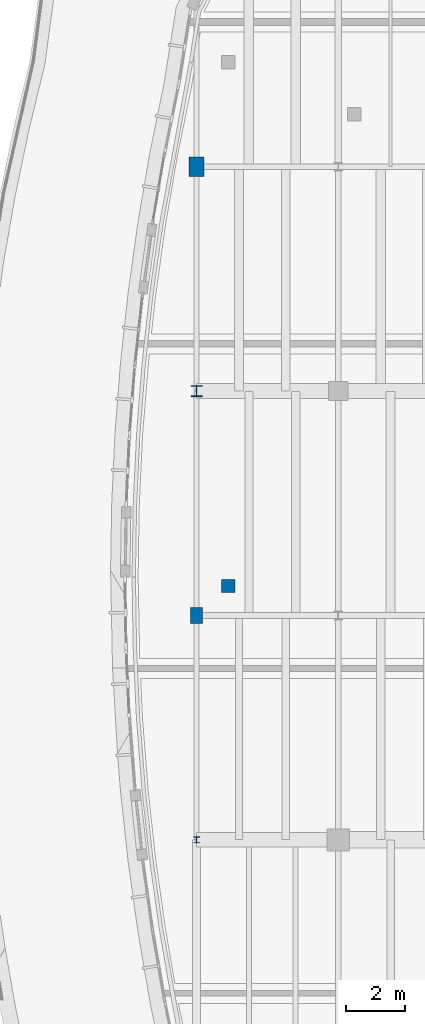
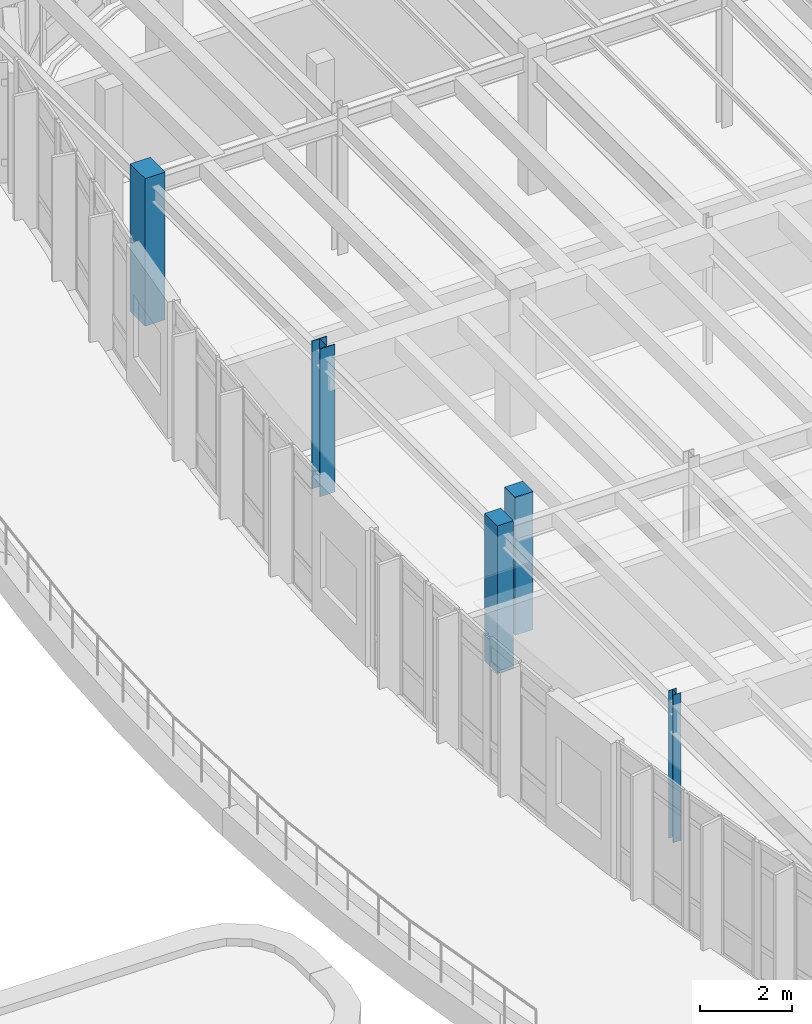
# One storey, part 9 of 111: 5 columns.
"""IFC4 building model written with IfcOpenShell, lengths in metres."""

import ifcopenshell
import ifcopenshell.guid

model = None  # the IFC model being written
_history = None  # IfcOwnerHistory: only IFC2X3 demands one
_inside = {}  # id of a spatial element -> (the spatial element, [elements in it])
_under = {}  # id of a project, library or spatial element -> (it, [spatial elements below it])
_declared = {}  # id of a project -> (the project, [libraries it declares])
_typed = {}  # id of a type object -> (the type object, [elements of that type])
_made_of = {}  # id of a material, layer set ... -> (it, [elements and type objects made of it])


def new_model(schema):
    """Start an empty IFC model of exactly this schema.

    Asked for "IFC4X3", IfcOpenShell would pick the latest addendum, in which some entities
    have other attributes; the version numbers below select the first issue.
    IFC2X3 requires an IfcOwnerHistory on every rooted entity: one is made here for all.
    """
    global model, _history
    if schema == "IFC4X3":
        model = ifcopenshell.file(schema_version=(4, 3, 0, 0))
    else:
        model = ifcopenshell.file(schema=schema)
    _inside.clear()
    _under.clear()
    _declared.clear()
    _typed.clear()
    _made_of.clear()
    _history = None
    if model.schema == "IFC2X3":
        org = make("IfcOrganization", Name="unknown")
        user = make(
            "IfcPersonAndOrganization",
            ThePerson=make("IfcPerson", FamilyName="unknown"),
            TheOrganization=org,
        )
        app = make(
            "IfcApplication",
            ApplicationDeveloper=org,
            Version="unknown",
            ApplicationFullName="unknown",
            ApplicationIdentifier="unknown",
        )
        _history = make(
            "IfcOwnerHistory",
            OwningUser=user,
            OwningApplication=app,
            ChangeAction="ADDED",
            CreationDate=0,
        )
    return model


def make(cls, **values):
    """One entity of the class cls with the attributes given. An attribute that is None is left unset."""
    return model.create_entity(
        cls, **{name: value for name, value in values.items() if value is not None}
    )


def rooted(cls, **values):
    """An entity with a GlobalId (a new one), such as an element, a storey or a relation."""
    return make(cls, GlobalId=ifcopenshell.guid.new(), OwnerHistory=_history, **values)


def si_unit(unit_type, name, prefix=None):
    """IfcSIUnit, for example si_unit("LENGTHUNIT", "METRE", prefix="MILLI")."""
    return make("IfcSIUnit", UnitType=unit_type, Prefix=prefix, Name=name)


def assignment(units):
    """IfcUnitAssignment: the units of a project."""
    return None if units is None else make("IfcUnitAssignment", Units=units)


def point(xyz):
    """IfcCartesianPoint."""
    return None if xyz is None else make("IfcCartesianPoint", Coordinates=xyz)


def direction(xyz):
    """IfcDirection."""
    return None if xyz is None else make("IfcDirection", DirectionRatios=xyz)


def frame(location, z_axis=None, x_axis=None):
    """IfcAxis2Placement3D, a coordinate frame: its origin and axes. An axis left out is left unset."""
    return make(
        "IfcAxis2Placement3D",
        Location=point(location),
        Axis=direction(z_axis),
        RefDirection=direction(x_axis),
    )


def frame_2d(location, x_axis=None):
    """IfcAxis2Placement2D, a coordinate frame in the plane: its origin and x axis."""
    return make(
        "IfcAxis2Placement2D", Location=point(location), RefDirection=direction(x_axis)
    )


def origin():
    """The frame at (0, 0, 0) with its axes left unset."""
    return frame((0.0, 0.0, 0.0))


def origin_2d():
    """The frame at (0, 0) in the plane with its x axis left unset."""
    return frame_2d((0.0, 0.0))


def place(relative_to, where):
    """IfcLocalPlacement: puts the frame where relative to a parent placement (None: the world)."""
    return make(
        "IfcLocalPlacement", PlacementRelTo=relative_to, RelativePlacement=where
    )


def context(
    kind, dimensions, precision=None, world=None, true_north=None, identifier=None
):
    """IfcGeometricRepresentationContext, for example the 3D "Model" context."""
    return make(
        "IfcGeometricRepresentationContext",
        ContextIdentifier=identifier,
        ContextType=kind,
        CoordinateSpaceDimension=dimensions,
        Precision=precision,
        WorldCoordinateSystem=world,
        TrueNorth=true_north,
    )


def subcontext(parent, identifier, kind, view, scale=None):
    """IfcGeometricRepresentationSubContext, for example "Body" below "Model"."""
    return make(
        "IfcGeometricRepresentationSubContext",
        ContextIdentifier=identifier,
        ContextType=kind,
        ParentContext=parent,
        TargetScale=scale,
        TargetView=view,
    )


def project(units=None, contexts=None):
    """IfcProject with its units and contexts."""
    return rooted(
        "IfcProject",
        Name="project",
        RepresentationContexts=contexts,
        UnitsInContext=assignment(units),
    )


def spatial(cls, under=None, at=None, **own):
    """A site, building, storey or space (cls), placed at a placement, below another one or the project."""
    s = rooted(cls, ObjectPlacement=at, **own)
    if under is not None:
        _under.setdefault(under.id(), (under, []))[1].append(s)
    return s


def profile(cls, at=None, kind="AREA", **sizes):
    """A parametric profile (cls). Its sizes go by their IFC names, for example OverallWidth=200.0."""
    return make(cls, ProfileType=kind, Position=at, **sizes)


def rectangle(**sizes):
    """IfcRectangleProfileDef."""
    return profile("IfcRectangleProfileDef", **sizes)


def i_section(**sizes):
    """IfcIShapeProfileDef."""
    return profile("IfcIShapeProfileDef", **sizes)


def extrude(swept, where, along, depth):
    """IfcExtrudedAreaSolid: the profile swept, set in the frame where, extruded along a direction by depth."""
    return make(
        "IfcExtrudedAreaSolid",
        SweptArea=swept,
        Position=where,
        ExtrudedDirection=direction(along),
        Depth=depth,
    )


def shape(context_of_items, identifier, shape_type, items):
    """IfcShapeRepresentation: the items that make up one representation, for example the "Body"."""
    return make(
        "IfcShapeRepresentation",
        ContextOfItems=context_of_items,
        RepresentationIdentifier=identifier,
        RepresentationType=shape_type,
        Items=items,
    )


def material(Name=None, Category=None):
    """IfcMaterial."""
    return make("IfcMaterial", Name=Name, Category=Category)


def material_profile(
    of_material, cross_section, Name=None, Category=None, Priority=None
):
    """IfcMaterialProfile: a cross section and its material."""
    return make(
        "IfcMaterialProfile",
        Name=Name,
        Material=of_material,
        Profile=cross_section,
        Priority=Priority,
        Category=Category,
    )


def profile_set(profiles, Name=None, composite=None):
    """IfcMaterialProfileSet."""
    return make(
        "IfcMaterialProfileSet",
        Name=Name,
        MaterialProfiles=profiles,
        CompositeProfile=composite,
    )


def made_of(thing, what):
    """Note that an element or type object is made of a material, layer set ...; save() writes the relation."""
    if what is not None:
        _made_of.setdefault(what.id(), (what, []))[1].append(thing)
    return thing


def type_object(cls, material=None, **own):
    """A type object (cls), such as IfcWallType, which elements share."""
    return made_of(rooted(cls, **own), material)


def element(
    cls,
    number,
    at=None,
    inside=None,
    cuts=None,
    type_object=None,
    material=None,
    context=None,
    identifier="Body",
    shape_type=None,
    held_by="IfcProductDefinitionShape",
    body=None,
    shapes=None,
    **own,
):
    """One element of the class cls, such as IfcWall. Its Tag is "e" and its number.

    at: its placement. inside: the storey or other place that contains it. cuts: it is an
    opening in that element (IfcRelVoidsElement). A single representation is given by context,
    identifier, shape_type and body (its items); several are given by shapes. held_by: the class
    of the entity that holds the representations. save() writes the other relations.
    """
    e = rooted(cls, Tag="e%d" % number, ObjectPlacement=at, **own)
    if body is not None:
        shapes = [shape(context, identifier, shape_type, body)]
    if shapes is not None:
        e.Representation = make(held_by, Representations=shapes)
    if inside is not None:
        _inside.setdefault(inside.id(), (inside, []))[1].append(e)
    if cuts is not None:
        rooted(
            "IfcRelVoidsElement", RelatingBuildingElement=cuts, RelatedOpeningElement=e
        )
    if type_object is not None:
        _typed.setdefault(type_object.id(), (type_object, []))[1].append(e)
    return made_of(e, material)


def aggregate(whole, parts):
    """IfcRelAggregates: a whole, such as a stair, and the parts it consists of."""
    return rooted("IfcRelAggregates", RelatingObject=whole, RelatedObjects=parts)


def save(model, path):
    """Write the relations noted so far, then the file.

    IfcRelAggregates (storeys below a building ...), IfcRelContainedInSpatialStructure (elements
    in a storey), IfcRelDefinesByType, IfcRelAssociatesMaterial and IfcRelDeclares: one each for
    every whole, place, type object, material and project.
    """
    for whole, parts in _under.values():
        aggregate(whole, parts)
    for where, things in _inside.values():
        rooted(
            "IfcRelContainedInSpatialStructure",
            RelatedElements=things,
            RelatingStructure=where,
        )
    for kind, things in _typed.values():
        rooted("IfcRelDefinesByType", RelatedObjects=things, RelatingType=kind)
    for what, things in _made_of.values():
        rooted("IfcRelAssociatesMaterial", RelatedObjects=things, RelatingMaterial=what)
    for by, libraries in _declared.values():
        rooted("IfcRelDeclares", RelatingContext=by, RelatedDefinitions=libraries)
    model.write(path)


model = new_model("IFC4")

# Units and contexts
model_context = context("Model", 3, precision=1e-05, world=origin(), true_north=direction((0.0, 1.0)))
body_context = subcontext(model_context, "Body", "Model", "MODEL_VIEW")
ifc_project = project(units=[si_unit("LENGTHUNIT", "METRE"), si_unit("AREAUNIT", "SQUARE_METRE"), si_unit("VOLUMEUNIT", "CUBIC_METRE"), si_unit("PLANEANGLEUNIT", "RADIAN"), si_unit("MASSUNIT", "GRAM", prefix="KILO")], contexts=[model_context])

# Site, building, storey
site_placement = place(None, origin())
site = spatial("IfcSite", under=ifc_project, at=site_placement, CompositionType="ELEMENT")
building_placement = place(site_placement, origin())
building = spatial("IfcBuilding", under=site, at=building_placement, Name="Corveleigh Park Community Centre", CompositionType="ELEMENT")
storey_placement = place(building_placement, frame((0.0, 0.0, 4.800048828125)))
storey = spatial("IfcBuildingStorey", under=building, at=storey_placement, Name="L01", CompositionType="ELEMENT", Elevation=4.800048828125)

# Columns
ifc_material_1 = material(Name="Concrete C40/50", Category="concrete")
ifc_material_profile_1 = material_profile(ifc_material_1, rectangle(XDim=0.39990234375, YDim=0.550048828125, at=origin_2d()), Name="RC-400x550", Category="concrete")
ifc_profile_set_1 = profile_set([ifc_material_profile_1], Name="Concrete C40/50")
column_type_1 = type_object("IfcColumnType", Name="COL-RC-400x550", PredefinedType="COLUMN", material=ifc_profile_set_1)
column_1_placement = place(storey_placement, frame((134.60009765625, 81.39990234375, 0.0), z_axis=(0.0, 0.0, 1.0), x_axis=(1.0, 0.0, 0.0)))
element("IfcColumn", 1, at=column_1_placement, inside=storey, type_object=column_type_1, Name="Column V4-X1Y3 L01", PredefinedType="COLUMN", context=body_context, shape_type="SweptSolid", body=[
    extrude(rectangle(XDim=0.39990234375, YDim=0.550048828125, at=origin_2d()), origin(), (0.0, 0.0, 1.0), 3.89990234375),
])
ifc_material_profile_2 = material_profile(ifc_material_1, rectangle(XDim=0.449951171875, YDim=0.449951171875, at=origin_2d()), Name="RC-450x450", Category="concrete")
ifc_profile_set_2 = profile_set([ifc_material_profile_2], Name="Concrete C40/50")
column_type_2 = type_object("IfcColumnType", Name="COL-RC-450x450", PredefinedType="COLUMN", material=ifc_profile_set_2)
column_2_placement = place(storey_placement, frame((135.674072265625, 82.39990234375, 0.0), z_axis=(0.0, 0.0, 1.0), x_axis=(1.0, 0.0, 0.0)))
element("IfcColumn", 2, at=column_2_placement, inside=storey, type_object=column_type_2, Name="External deck support pier 132 L01", PredefinedType="COLUMN", context=body_context, shape_type="SweptSolid", body=[
    extrude(rectangle(XDim=0.449951171875, YDim=0.449951171875, at=origin_2d()), origin(), (0.0, 0.0, 1.0), 3.65283203125),
])
ifc_material_profile_3 = material_profile(ifc_material_1, rectangle(XDim=0.5, YDim=0.64990234375, at=origin_2d()), Name="RC-500x650", Category="concrete")
ifc_profile_set_3 = profile_set([ifc_material_profile_3], Name="Concrete C40/50")
column_type_3 = type_object("IfcColumnType", Name="COL-RC-500x650", PredefinedType="COLUMN", material=ifc_profile_set_3)
column_3_placement = place(storey_placement, frame((134.60009765625, 96.60009765625, 0.0), z_axis=(0.0, 0.0, 1.0), x_axis=(1.0, 0.0, 0.0)))
element("IfcColumn", 3, at=column_3_placement, inside=storey, type_object=column_type_3, Name="Column V4-X1Y5 L01", PredefinedType="COLUMN", context=body_context, shape_type="SweptSolid", body=[
    extrude(rectangle(XDim=0.5, YDim=0.64990234375, at=origin_2d()), origin(), (0.0, 0.0, 1.0), 3.89990234375),
])
ifc_material_2 = material(Name="Steel S355", Category="steel")
ifc_material_profile_4 = material_profile(ifc_material_2, i_section(OverallWidth=0.20361328125, OverallDepth=0.203125, WebThickness=0.007080078125, FlangeThickness=0.010986328125, at=origin_2d()), Name="UKC 203x203x46", Category="steel")
ifc_profile_set_4 = profile_set([ifc_material_profile_4], Name="Steel S355")
column_type_4 = type_object("IfcColumnType", Name="COL-STL-UKC203x46", PredefinedType="COLUMN", material=ifc_profile_set_4)
column_4_placement = place(storey_placement, frame((134.60009765625, 73.800048828125, 0.0), z_axis=(0.0, 0.0, 1.0), x_axis=(1.0, 0.0, 0.0)))
element("IfcColumn", 4, at=column_4_placement, inside=storey, type_object=column_type_4, Name="Column V4-X1Y2 L01", PredefinedType="COLUMN", context=body_context, shape_type="SweptSolid", body=[
    extrude(i_section(OverallWidth=0.20361328125, OverallDepth=0.203125, WebThickness=0.007080078125, FlangeThickness=0.010986328125, at=origin_2d()), origin(), (0.0, 0.0, 1.0), 3.89990234375),
])
ifc_material_profile_5 = material_profile(ifc_material_2, i_section(OverallWidth=0.37255859375, OverallDepth=0.3681640625, WebThickness=0.014404296875, FlangeThickness=0.023681640625, at=origin_2d()), Name="UKC 356x368x177", Category="steel")
ifc_profile_set_5 = profile_set([ifc_material_profile_5], Name="Steel S355")
column_type_5 = type_object("IfcColumnType", Name="COL-STL-UKC356x177", PredefinedType="COLUMN", material=ifc_profile_set_5)
column_5_placement = place(storey_placement, frame((134.60009765625, 89.0, 0.0), z_axis=(0.0, 0.0, 1.0), x_axis=(1.0, 0.0, 0.0)))
element("IfcColumn", 5, at=column_5_placement, inside=storey, type_object=column_type_5, Name="Column V4-X1Y4 L01", PredefinedType="COLUMN", context=body_context, shape_type="SweptSolid", body=[
    extrude(i_section(OverallWidth=0.37255859375, OverallDepth=0.3681640625, WebThickness=0.014404296875, FlangeThickness=0.023681640625, at=origin_2d()), origin(), (0.0, 0.0, 1.0), 3.89990234375),
])

save(model, "model.ifc")
